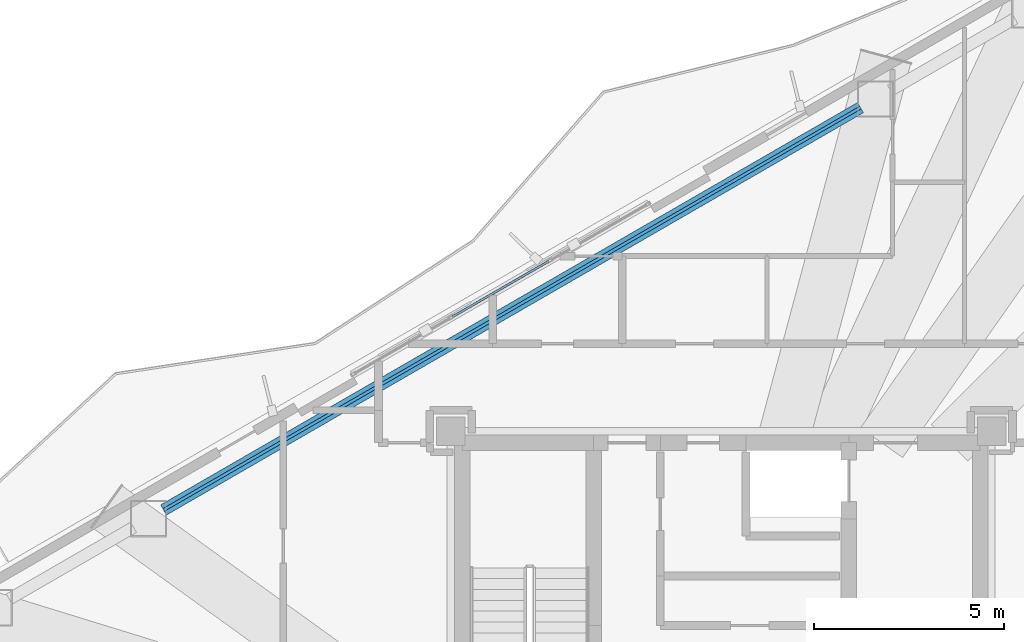
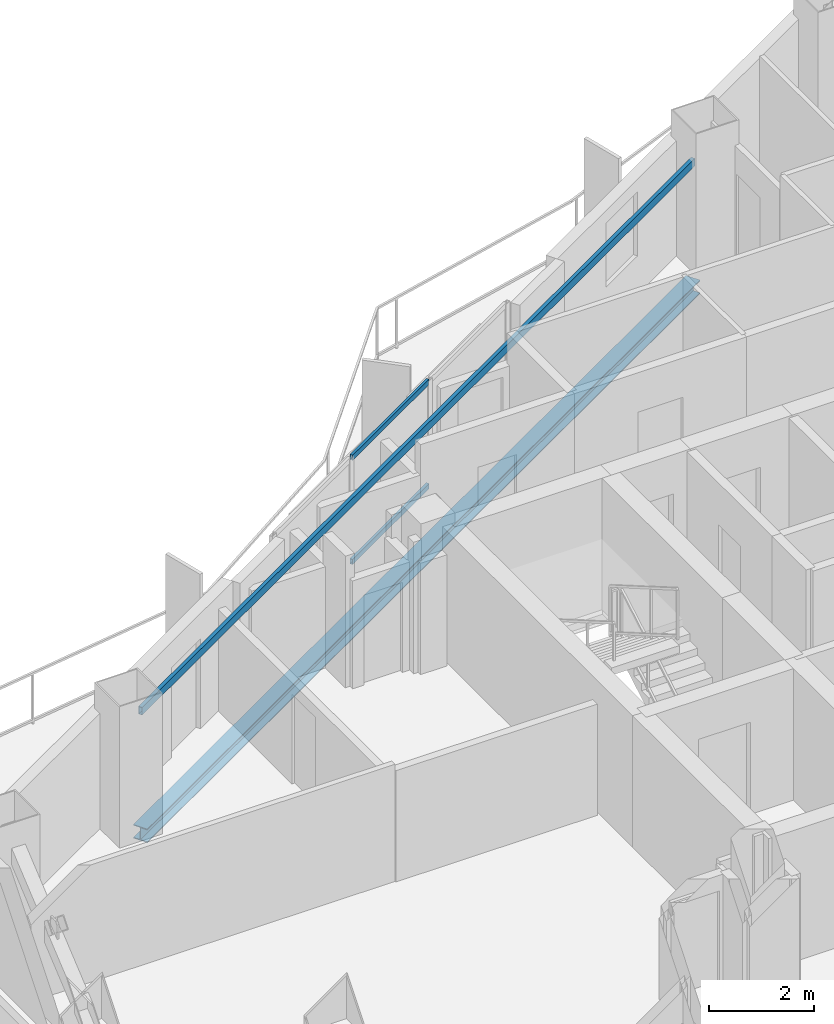
# One storey, part 7 of 19: 2 beams, 2 members, 1 element without a shape of its own.
"""IFC4 building model written with IfcOpenShell, lengths in metres."""

from ifc_helpers import new_model, si_unit, direction, frame, origin, origin_2d, place, context, subcontext, project, spatial, hollow_rectangle, i_section, extrude, material, layer, layer_set, material_profile, profile_set, type_object, element, aggregate, save


model = new_model("IFC4")

# Units and contexts
model_context = context("Model", 3, precision=1e-05, world=origin(), true_north=direction((0.0, 1.0)))
body_context = subcontext(model_context, "Body", "Model", "MODEL_VIEW")
ifc_project = project(units=[si_unit("LENGTHUNIT", "METRE"), si_unit("AREAUNIT", "SQUARE_METRE"), si_unit("VOLUMEUNIT", "CUBIC_METRE"), si_unit("PLANEANGLEUNIT", "RADIAN"), si_unit("MASSUNIT", "GRAM", prefix="KILO")], contexts=[model_context])

# Site, building, storey
site_placement = place(None, origin())
site = spatial("IfcSite", under=ifc_project, at=site_placement, CompositionType="ELEMENT")
building_placement = place(site_placement, origin())
building = spatial("IfcBuilding", under=site, at=building_placement, Name="Mersakhor Tower and Convention Hall", CompositionType="ELEMENT")
storey_placement = place(building_placement, frame((0.0, 0.0, 175.5)))
storey = spatial("IfcBuildingStorey", under=building, at=storey_placement, Name="L48", CompositionType="ELEMENT", Elevation=175.5)

# Beams
ifc_material_1 = material(Name="Steel S355", Category="steel")
ifc_material_profile_1 = material_profile(ifc_material_1, hollow_rectangle(XDim=0.080078125, YDim=0.179931640625, WallThickness=0.008056640625, at=origin_2d()), Name="RHS 180x80x8")
ifc_profile_set_1 = profile_set([ifc_material_profile_1], Name="Steel S355")
beam_type_1 = type_object("IfcBeamType", Name="BM-GRT-RHS180", PredefinedType="USERDEFINED", material=ifc_profile_set_1)
beam_1_placement = place(storey_placement, frame((14.353759765625, 30.982421875, 2.47998046875), z_axis=(0.866028813665, 0.499994093867, 0.0), x_axis=(-0.499994093867, 0.866028813665, 0.0)))
element("IfcBeam", 1, at=beam_1_placement, inside=storey, type_object=beam_type_1, Name="L48 Facade Support Girt GRT-F1", ObjectType="GIRT", PredefinedType="USERDEFINED", context=body_context, shape_type="SweptSolid", body=[
    extrude(hollow_rectangle(XDim=0.080078125, YDim=0.179931640625, WallThickness=0.008056640625, at=origin_2d()), origin(), (0.0, 0.0, 1.0), 21.135498046875),
])
ifc_material_2 = material(Name="Steel S355", Category="steel")
ifc_material_profile_2 = material_profile(ifc_material_2, i_section(OverallWidth=0.30908203125, OverallDepth=0.320556640625, WebThickness=0.013916015625, FlangeThickness=0.021728515625, at=origin_2d()), Name="UC 305x305x137")
ifc_profile_set_2 = profile_set([ifc_material_profile_2], Name="Steel S355")
beam_type_2 = type_object("IfcBeamType", Name="BM-SPD-UC305", PredefinedType="SPANDREL", material=ifc_profile_set_2)
beam_2_placement = place(storey_placement, frame((14.353759765625, 30.982421875, -0.39013671875), z_axis=(0.866028813665, 0.499994093867, 0.0), x_axis=(-0.499994093867, 0.866028813665, 0.0)))
element("IfcBeam", 2, at=beam_2_placement, inside=storey, type_object=beam_type_2, Name="L48 Perimeter Spandrel Beam SPB-02", PredefinedType="SPANDREL", context=body_context, shape_type="SweptSolid", body=[
    extrude(i_section(OverallWidth=0.30908203125, OverallDepth=0.320556640625, WebThickness=0.013916015625, FlangeThickness=0.021728515625, at=origin_2d()), origin(), (0.0, 0.0, 1.0), 21.135498046875),
])

# Curtain wall, members
ifc_material_3 = material(Name="Dark solar low-E aluminium curtain wall", Category="aluminium")
ifc_layer = layer(ifc_material_3, 0.169921875)
ifc_layer_set = layer_set([ifc_layer], Name="Dark solar low-E aluminium curtain wall")
curtain_wall_type = type_object("IfcCurtainWallType", Name="CW-SYS-02", PredefinedType="USERDEFINED", material=ifc_layer_set)
curtain_wall_placement = place(storey_placement, origin())
curtain_wall = element("IfcCurtainWall", 3, at=curtain_wall_placement, inside=storey, type_object=curtain_wall_type, Name="L48 Dark-Glass Curtain Wall F1-B2", ObjectType="CURTAIN WALL", PredefinedType="USERDEFINED")
ifc_material_4 = material(Name="Anodised aluminium EN AW-6063 T6", Category="aluminium")
ifc_material_profile_3 = material_profile(ifc_material_4, hollow_rectangle(XDim=0.06005859375, YDim=0.1201171875, WallThickness=0.0048828125, at=origin_2d()), Name="RHS 120x60x5")
ifc_profile_set_3 = profile_set([ifc_material_profile_3], Name="Anodised aluminium EN AW-6063 T6")
member_type = type_object("IfcMemberType", Name="CWT-120x60", PredefinedType="USERDEFINED", material=ifc_profile_set_3)
member_1_placement = place(storey_placement, frame((21.939453125, 36.0546875, 0.22998046875), z_axis=(0.866004860328, 0.500035580622, 0.0), x_axis=(-0.500035580622, 0.866004860328, 0.0)))
member_1 = element("IfcMember", 4, at=member_1_placement, type_object=member_type, Name="CW-02 transom 2.1", ObjectType="TRANSOM", PredefinedType="USERDEFINED", context=body_context, shape_type="SweptSolid", body=[
    extrude(hollow_rectangle(XDim=0.06005859375, YDim=0.1201171875, WallThickness=0.0048828125, at=origin_2d()), origin(), (0.0, 0.0, 1.0), 2.924560546875),
])
member_2_placement = place(storey_placement, frame((21.939453125, 36.0546875, 2.659912109375), z_axis=(0.866004860328, 0.500035580622, 0.0), x_axis=(-0.500035580622, 0.866004860328, 0.0)))
member_2 = element("IfcMember", 5, at=member_2_placement, type_object=member_type, Name="CW-02 transom 2.2", ObjectType="TRANSOM", PredefinedType="USERDEFINED", context=body_context, shape_type="SweptSolid", body=[
    extrude(hollow_rectangle(XDim=0.06005859375, YDim=0.1201171875, WallThickness=0.0048828125, at=origin_2d()), origin(), (0.0, 0.0, 1.0), 2.924560546875),
])
aggregate(curtain_wall, [member_1, member_2])

save(model, "model.ifc")
